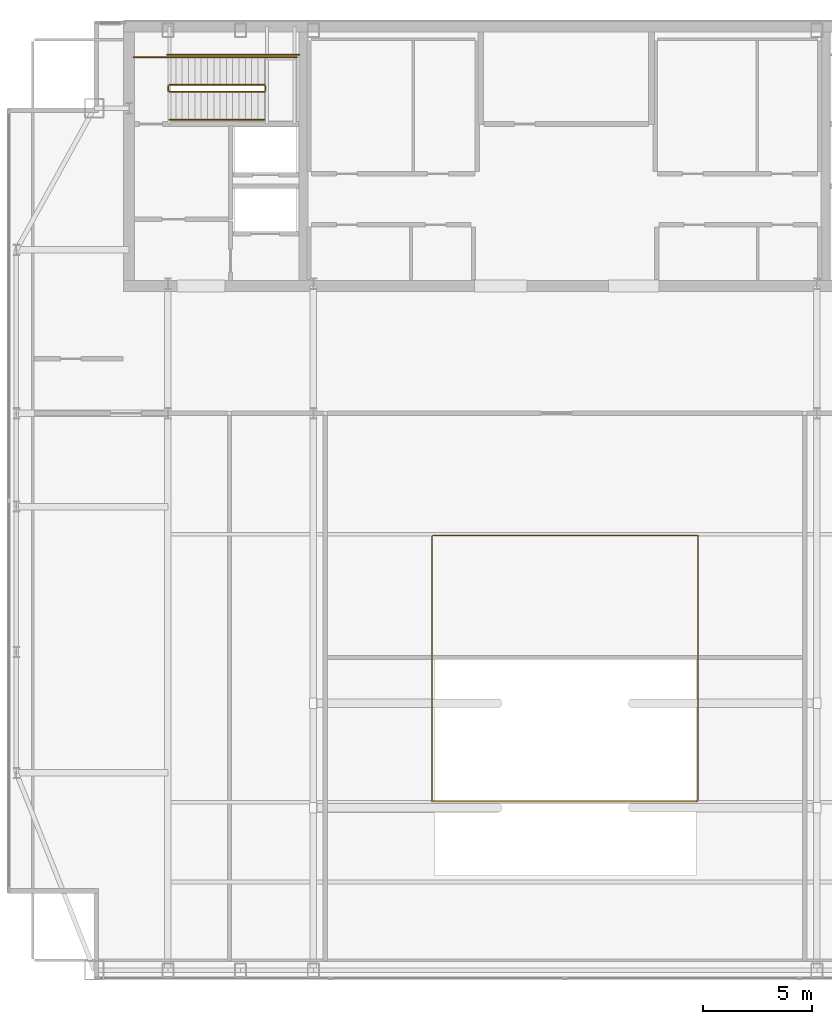
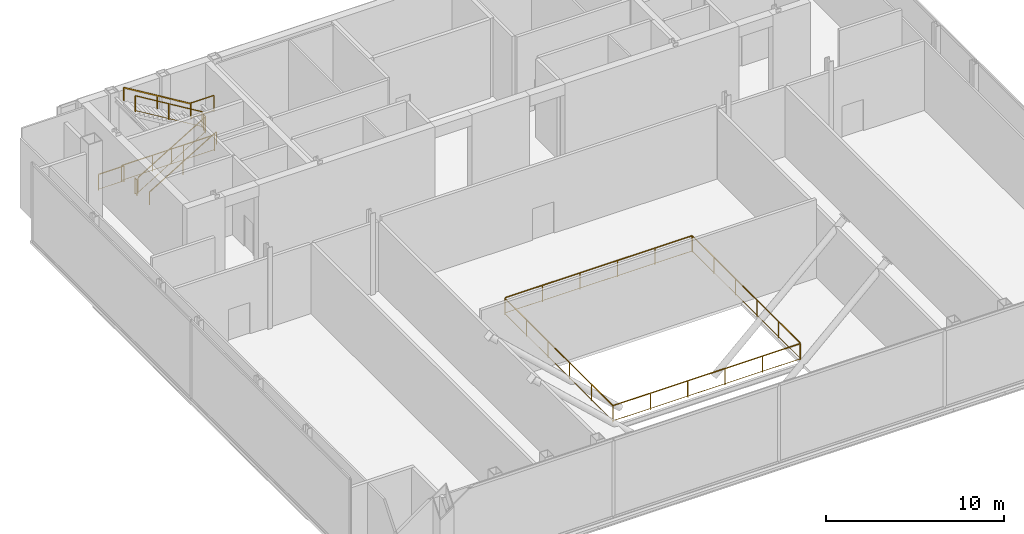
# One storey, part 22 of 23: 11 railings.
"""IFC4 building model written with IfcOpenShell, lengths in metres."""

from ifc_helpers import new_model, si_unit, direction, frame, origin, origin_2d, place, context, subcontext, project, spatial, rectangle, extrude, material, type_object, element, save


model = new_model("IFC4")

# Units and contexts
model_context = context("Model", 3, precision=1e-05, world=origin(), true_north=direction((0.0, 1.0)))
body_context = subcontext(model_context, "Body", "Model", "MODEL_VIEW")
ifc_project = project(units=[si_unit("LENGTHUNIT", "METRE"), si_unit("AREAUNIT", "SQUARE_METRE"), si_unit("VOLUMEUNIT", "CUBIC_METRE"), si_unit("PLANEANGLEUNIT", "RADIAN"), si_unit("MASSUNIT", "GRAM", prefix="KILO")], contexts=[model_context])

# Site, building, storey
site_placement = place(None, origin())
site = spatial("IfcSite", under=ifc_project, at=site_placement, CompositionType="ELEMENT")
building_placement = place(site_placement, origin())
building = spatial("IfcBuilding", under=site, at=building_placement, Name="Khoronbel Lancet Exchange", CompositionType="ELEMENT")
storey_placement = place(building_placement, frame((0.0, 0.0, 356.199951171875)))
storey = spatial("IfcBuildingStorey", under=building, at=storey_placement, Name="L92", CompositionType="ELEMENT", Elevation=356.199951171875)

# Railings
ifc_material_1 = material(Name="Laminated Glass & Bronze Balustrade", Category="glass")
railing_type_1 = type_object("IfcRailingType", Name="RL-INT115", PredefinedType="BALUSTRADE", material=ifc_material_1)
railing_1_placement = place(storey_placement, frame((30.35009765625, 30.06005859375, 0.0)))
element("IfcRailing", 1, at=railing_1_placement, inside=storey, type_object=railing_type_1, Name="Level L92 gallery void safety balustrade SW", PredefinedType="BALUSTRADE", context=body_context, shape_type="SweptSolid", body=[
    extrude(rectangle(XDim=0.052001953125, YDim=0.052001953125, at=origin_2d()), frame((0.0, 0.0, 1.1240234375), z_axis=(0.0, -1.0, 0.0), x_axis=(1.0, 0.0, 0.0)), (0.0, 0.0, 1.0), 12.16015625),
    extrude(rectangle(XDim=0.02587890625, YDim=0.02587890625, at=origin_2d()), frame((0.0, 0.0, 0.080078125), z_axis=(0.0, -1.0, 0.0), x_axis=(1.0, 0.0, 0.0)), (0.0, 0.0, 1.0), 12.16015625),
    extrude(rectangle(XDim=0.052001953125, YDim=0.052001953125, at=origin_2d()), frame((0.0, -12.16015625, 1.1240234375), z_axis=(1.0, 0.0, 0.0), x_axis=(0.0, 1.0, 0.0)), (0.0, 0.0, 1.0), 12.159912109375),
    extrude(rectangle(XDim=0.02587890625, YDim=0.02587890625, at=origin_2d()), frame((0.0, -12.16015625, 0.080078125), z_axis=(1.0, 0.0, 0.0), x_axis=(0.0, 1.0, 0.0)), (0.0, 0.0, 1.0), 12.159912109375),
    extrude(rectangle(XDim=0.0419921875, YDim=0.0419921875, at=origin_2d()), origin(), (0.0, 0.0, 1.0), 1.097900390625),
    extrude(rectangle(XDim=0.0419921875, YDim=0.0419921875, at=origin_2d()), frame((0.0, -2.43212890625, 0.0)), (0.0, 0.0, 1.0), 1.097900390625),
    extrude(rectangle(XDim=0.0419921875, YDim=0.0419921875, at=origin_2d()), frame((0.0, -4.864013671875, 0.0)), (0.0, 0.0, 1.0), 1.097900390625),
    extrude(rectangle(XDim=0.0419921875, YDim=0.0419921875, at=origin_2d()), frame((0.0, -7.296142578125, 0.0)), (0.0, 0.0, 1.0), 1.097900390625),
    extrude(rectangle(XDim=0.0419921875, YDim=0.0419921875, at=origin_2d()), frame((0.0, -9.72802734375, 0.0)), (0.0, 0.0, 1.0), 1.097900390625),
    extrude(rectangle(XDim=0.0419921875, YDim=0.0419921875, at=origin_2d()), frame((0.0, -12.16015625, 0.0)), (0.0, 0.0, 1.0), 1.097900390625),
    extrude(rectangle(XDim=0.0419921875, YDim=0.0419921875, at=origin_2d()), frame((2.431884765625, -12.16015625, 0.0)), (0.0, 0.0, 1.0), 1.097900390625),
    extrude(rectangle(XDim=0.0419921875, YDim=0.0419921875, at=origin_2d()), frame((4.864013671875, -12.16015625, 0.0)), (0.0, 0.0, 1.0), 1.097900390625),
    extrude(rectangle(XDim=0.0419921875, YDim=0.0419921875, at=origin_2d()), frame((7.2958984375, -12.16015625, 0.0)), (0.0, 0.0, 1.0), 1.097900390625),
    extrude(rectangle(XDim=0.0419921875, YDim=0.0419921875, at=origin_2d()), frame((9.72802734375, -12.16015625, 0.0)), (0.0, 0.0, 1.0), 1.097900390625),
    extrude(rectangle(XDim=0.0419921875, YDim=0.0419921875, at=origin_2d()), frame((12.159912109375, -12.16015625, 0.0)), (0.0, 0.0, 1.0), 1.097900390625),
])
railing_2_placement = place(storey_placement, frame((30.389892578125, 30.10009765625, 0.0)))
element("IfcRailing", 2, at=railing_2_placement, inside=storey, type_object=railing_type_1, Name="Level L92 gallery void safety balustrade NE", PredefinedType="BALUSTRADE", context=body_context, shape_type="SweptSolid", body=[
    extrude(rectangle(XDim=0.052001953125, YDim=0.052001953125, at=origin_2d()), frame((0.0, 0.0, 1.1240234375), z_axis=(1.0, 0.0, 0.0), x_axis=(0.0, 1.0, 0.0)), (0.0, 0.0, 1.0), 12.16015625),
    extrude(rectangle(XDim=0.02587890625, YDim=0.02587890625, at=origin_2d()), frame((0.0, 0.0, 0.080078125), z_axis=(1.0, 0.0, 0.0), x_axis=(0.0, 1.0, 0.0)), (0.0, 0.0, 1.0), 12.16015625),
    extrude(rectangle(XDim=0.052001953125, YDim=0.052001953125, at=origin_2d()), frame((12.16015625, 0.0, 1.1240234375), z_axis=(0.0, -1.0, 0.0), x_axis=(1.0, 0.0, 0.0)), (0.0, 0.0, 1.0), 12.16015625),
    extrude(rectangle(XDim=0.02587890625, YDim=0.02587890625, at=origin_2d()), frame((12.16015625, 0.0, 0.080078125), z_axis=(0.0, -1.0, 0.0), x_axis=(1.0, 0.0, 0.0)), (0.0, 0.0, 1.0), 12.16015625),
    extrude(rectangle(XDim=0.0419921875, YDim=0.0419921875, at=origin_2d()), origin(), (0.0, 0.0, 1.0), 1.097900390625),
    extrude(rectangle(XDim=0.0419921875, YDim=0.0419921875, at=origin_2d()), frame((2.43212890625, 0.0, 0.0)), (0.0, 0.0, 1.0), 1.097900390625),
    extrude(rectangle(XDim=0.0419921875, YDim=0.0419921875, at=origin_2d()), frame((4.864013671875, 0.0, 0.0)), (0.0, 0.0, 1.0), 1.097900390625),
    extrude(rectangle(XDim=0.0419921875, YDim=0.0419921875, at=origin_2d()), frame((7.296142578125, 0.0, 0.0)), (0.0, 0.0, 1.0), 1.097900390625),
    extrude(rectangle(XDim=0.0419921875, YDim=0.0419921875, at=origin_2d()), frame((9.72802734375, 0.0, 0.0)), (0.0, 0.0, 1.0), 1.097900390625),
    extrude(rectangle(XDim=0.0419921875, YDim=0.0419921875, at=origin_2d()), frame((12.16015625, 0.0, 0.0)), (0.0, 0.0, 1.0), 1.097900390625),
    extrude(rectangle(XDim=0.0419921875, YDim=0.0419921875, at=origin_2d()), frame((12.16015625, -2.43212890625, 0.0)), (0.0, 0.0, 1.0), 1.097900390625),
    extrude(rectangle(XDim=0.0419921875, YDim=0.0419921875, at=origin_2d()), frame((12.16015625, -4.864013671875, 0.0)), (0.0, 0.0, 1.0), 1.097900390625),
    extrude(rectangle(XDim=0.0419921875, YDim=0.0419921875, at=origin_2d()), frame((12.16015625, -7.296142578125, 0.0)), (0.0, 0.0, 1.0), 1.097900390625),
    extrude(rectangle(XDim=0.0419921875, YDim=0.0419921875, at=origin_2d()), frame((12.16015625, -9.72802734375, 0.0)), (0.0, 0.0, 1.0), 1.097900390625),
    extrude(rectangle(XDim=0.0419921875, YDim=0.0419921875, at=origin_2d()), frame((12.16015625, -12.16015625, 0.0)), (0.0, 0.0, 1.0), 1.097900390625),
])
ifc_material_2 = material(Name="Painted Steel Balustrade", Category="steel")
railing_type_2 = type_object("IfcRailingType", Name="RL-STG110", PredefinedType="GUARDRAIL", material=ifc_material_2)
railing_3_placement = place(storey_placement, frame((18.300048828125, 50.449951171875, 0.175048828125)))
element("IfcRailing", 3, at=railing_3_placement, inside=storey, type_object=railing_type_2, Name="L92 ST1 stair guard 1", PredefinedType="GUARDRAIL", context=body_context, shape_type="SweptSolid", body=[
    extrude(rectangle(XDim=0.048095703125, YDim=0.048095703125, at=origin_2d()), frame((0.0, 0.0, 1.09619140625), z_axis=(0.856179964356, 0.0, 0.516677722218), x_axis=(0.0, 1.0, 0.0)), (0.0, 0.0, 1.0), 5.08056640625),
    extrude(rectangle(XDim=0.02392578125, YDim=0.02392578125, at=origin_2d()), frame((0.0, 0.0, 0.080078125), z_axis=(0.856179964356, 0.0, 0.516677722218), x_axis=(0.0, 1.0, 0.0)), (0.0, 0.0, 1.0), 5.08056640625),
    extrude(rectangle(XDim=0.0419921875, YDim=0.0419921875, at=origin_2d()), origin(), (0.0, 0.0, 1.0), 1.072021484375),
    extrude(rectangle(XDim=0.0419921875, YDim=0.0419921875, at=origin_2d()), frame((2.1748046875, 0.0, 1.3125)), (0.0, 0.0, 1.0), 1.072021484375),
    extrude(rectangle(XDim=0.0419921875, YDim=0.0419921875, at=origin_2d()), frame((4.349853515625, 0.0, 2.625)), (0.0, 0.0, 1.0), 1.072021484375),
])
railing_4_placement = place(storey_placement, frame((22.699951171875, 50.5, 2.800048828125)))
element("IfcRailing", 4, at=railing_4_placement, inside=storey, type_object=railing_type_2, Name="L92 ST1 stair guard 2", PredefinedType="GUARDRAIL", context=body_context, shape_type="SweptSolid", body=[
    extrude(rectangle(XDim=0.048095703125, YDim=0.048095703125, at=origin_2d()), frame((0.0, 0.0, 1.09619140625), z_axis=(0.0, 1.0, 0.0), x_axis=(-1.0, 0.0, 0.0)), (0.0, 0.0, 1.0), 0.219970703125),
    extrude(rectangle(XDim=0.02392578125, YDim=0.02392578125, at=origin_2d()), frame((0.0, 0.0, 0.080078125), z_axis=(0.0, 1.0, 0.0), x_axis=(-1.0, 0.0, 0.0)), (0.0, 0.0, 1.0), 0.219970703125),
    extrude(rectangle(XDim=0.0419921875, YDim=0.0419921875, at=origin_2d()), origin(), (0.0, 0.0, 1.0), 1.072021484375),
    extrude(rectangle(XDim=0.0419921875, YDim=0.0419921875, at=origin_2d()), frame((0.0, 0.219970703125, 0.0)), (0.0, 0.0, 1.0), 1.072021484375),
])
railing_5_placement = place(storey_placement, frame((22.64990234375, 52.050048828125, 2.800048828125)))
element("IfcRailing", 5, at=railing_5_placement, inside=storey, type_object=railing_type_2, Name="L92 ST1 stair guard 3", PredefinedType="GUARDRAIL", context=body_context, shape_type="SweptSolid", body=[
    extrude(rectangle(XDim=0.048095703125, YDim=0.048095703125, at=origin_2d()), frame((0.0, 0.0, 1.09619140625), z_axis=(1.0, 0.0, 0.0), x_axis=(0.0, 1.0, 0.0)), (0.0, 0.0, 1.0), 1.5),
    extrude(rectangle(XDim=0.02392578125, YDim=0.02392578125, at=origin_2d()), frame((0.0, 0.0, 0.080078125), z_axis=(1.0, 0.0, 0.0), x_axis=(0.0, 1.0, 0.0)), (0.0, 0.0, 1.0), 1.5),
    extrude(rectangle(XDim=0.0419921875, YDim=0.0419921875, at=origin_2d()), origin(), (0.0, 0.0, 1.0), 1.072021484375),
    extrude(rectangle(XDim=0.0419921875, YDim=0.0419921875, at=origin_2d()), frame((1.5, 0.0, 0.0)), (0.0, 0.0, 1.0), 1.072021484375),
])
railing_6_placement = place(storey_placement, frame((22.64990234375, 50.77001953125, 2.97509765625)))
element("IfcRailing", 6, at=railing_6_placement, inside=storey, type_object=railing_type_2, Name="L92 ST1 stair guard 4", PredefinedType="GUARDRAIL", context=body_context, shape_type="SweptSolid", body=[
    extrude(rectangle(XDim=0.048095703125, YDim=0.048095703125, at=origin_2d()), frame((0.0, 0.0, 1.09619140625), z_axis=(-0.856179964356, 0.0, 0.516677722218), x_axis=(0.0, -1.0, 0.0)), (0.0, 0.0, 1.0), 5.08056640625),
    extrude(rectangle(XDim=0.02392578125, YDim=0.02392578125, at=origin_2d()), frame((0.0, 0.0, 0.080078125), z_axis=(-0.856179964356, 0.0, 0.516677722218), x_axis=(0.0, -1.0, 0.0)), (0.0, 0.0, 1.0), 5.08056640625),
    extrude(rectangle(XDim=0.0419921875, YDim=0.0419921875, at=origin_2d()), origin(), (0.0, 0.0, 1.0), 1.072021484375),
    extrude(rectangle(XDim=0.0419921875, YDim=0.0419921875, at=origin_2d()), frame((-2.1748046875, 0.0, 1.3125)), (0.0, 0.0, 1.0), 1.072021484375),
    extrude(rectangle(XDim=0.0419921875, YDim=0.0419921875, at=origin_2d()), frame((-4.349853515625, 0.0, 2.625)), (0.0, 0.0, 1.0), 1.072021484375),
])
railing_7_placement = place(storey_placement, frame((18.25, 50.5, 0.0)))
element("IfcRailing", 7, at=railing_7_placement, inside=storey, type_object=railing_type_2, Name="L92 ST1 stair guard 5", PredefinedType="GUARDRAIL", context=body_context, shape_type="SweptSolid", body=[
    extrude(rectangle(XDim=0.048095703125, YDim=0.048095703125, at=origin_2d()), frame((0.0, 0.0, 1.09619140625), z_axis=(0.0, 1.0, 0.0), x_axis=(-1.0, 0.0, 0.0)), (0.0, 0.0, 1.0), 0.219970703125),
    extrude(rectangle(XDim=0.02392578125, YDim=0.02392578125, at=origin_2d()), frame((0.0, 0.0, 0.080078125), z_axis=(0.0, 1.0, 0.0), x_axis=(-1.0, 0.0, 0.0)), (0.0, 0.0, 1.0), 0.219970703125),
    extrude(rectangle(XDim=0.0419921875, YDim=0.0419921875, at=origin_2d()), origin(), (0.0, 0.0, 1.0), 1.072021484375),
    extrude(rectangle(XDim=0.0419921875, YDim=0.0419921875, at=origin_2d()), frame((0.0, 0.219970703125, 0.0)), (0.0, 0.0, 1.0), 1.072021484375),
])
railing_8_placement = place(storey_placement, frame((16.64990234375, 52.050048828125, 0.0)))
element("IfcRailing", 8, at=railing_8_placement, inside=storey, type_object=railing_type_2, Name="L92 ST1 stair guard 6", PredefinedType="GUARDRAIL", context=body_context, shape_type="SweptSolid", body=[
    extrude(rectangle(XDim=0.048095703125, YDim=0.048095703125, at=origin_2d()), frame((0.0, 0.0, 1.09619140625), z_axis=(1.0, 0.0, 0.0), x_axis=(0.0, 1.0, 0.0)), (0.0, 0.0, 1.0), 1.650146484375),
    extrude(rectangle(XDim=0.02392578125, YDim=0.02392578125, at=origin_2d()), frame((0.0, 0.0, 0.080078125), z_axis=(1.0, 0.0, 0.0), x_axis=(0.0, 1.0, 0.0)), (0.0, 0.0, 1.0), 1.650146484375),
    extrude(rectangle(XDim=0.0419921875, YDim=0.0419921875, at=origin_2d()), origin(), (0.0, 0.0, 1.0), 1.072021484375),
    extrude(rectangle(XDim=0.0419921875, YDim=0.0419921875, at=origin_2d()), frame((1.650146484375, 0.0, 0.0)), (0.0, 0.0, 1.0), 1.072021484375),
])
railing_9_placement = place(storey_placement, frame((18.199951171875, 52.14990234375, 0.0)))
element("IfcRailing", 9, at=railing_9_placement, inside=storey, type_object=railing_type_2, Name="L92 ST1 stair guard 7", PredefinedType="GUARDRAIL", context=body_context, shape_type="SweptSolid", body=[
    extrude(rectangle(XDim=0.048095703125, YDim=0.048095703125, at=origin_2d()), frame((0.0, 0.0, 1.09619140625), z_axis=(1.0, 0.0, 0.0), x_axis=(0.0, 1.0, 0.0)), (0.0, 0.0, 1.0), 6.050048828125),
    extrude(rectangle(XDim=0.02392578125, YDim=0.02392578125, at=origin_2d()), frame((0.0, 0.0, 0.080078125), z_axis=(1.0, 0.0, 0.0), x_axis=(0.0, 1.0, 0.0)), (0.0, 0.0, 1.0), 6.050048828125),
    extrude(rectangle(XDim=0.0419921875, YDim=0.0419921875, at=origin_2d()), origin(), (0.0, 0.0, 1.0), 1.072021484375),
    extrude(rectangle(XDim=0.0419921875, YDim=0.0419921875, at=origin_2d()), frame((2.0166015625, 0.0, 0.0)), (0.0, 0.0, 1.0), 1.072021484375),
    extrude(rectangle(XDim=0.0419921875, YDim=0.0419921875, at=origin_2d()), frame((4.033447265625, 0.0, 0.0)), (0.0, 0.0, 1.0), 1.072021484375),
    extrude(rectangle(XDim=0.0419921875, YDim=0.0419921875, at=origin_2d()), frame((6.050048828125, 0.0, 0.0)), (0.0, 0.0, 1.0), 1.072021484375),
])
ifc_material_3 = material(Name="Brushed Stainless Steel 316", Category="steel")
railing_type_3 = type_object("IfcRailingType", Name="RL-STH92", PredefinedType="HANDRAIL", material=ifc_material_3)
railing_10_placement = place(storey_placement, frame((18.300048828125, 49.169921875, 0.175048828125)))
element("IfcRailing", 10, at=railing_10_placement, inside=storey, type_object=railing_type_3, Name="L92 ST1 stair handrail 1", PredefinedType="HANDRAIL", context=body_context, shape_type="SweptSolid", body=[
    extrude(rectangle(XDim=0.048095703125, YDim=0.048095703125, at=origin_2d()), frame((0.0, 0.0, 0.8759765625), z_axis=(0.856179964356, 0.0, 0.516677722218), x_axis=(0.0, 1.0, 0.0)), (0.0, 0.0, 1.0), 5.08056640625),
    extrude(rectangle(XDim=0.0419921875, YDim=0.0419921875, at=origin_2d()), origin(), (0.0, 0.0, 1.0), 0.851806640625),
    extrude(rectangle(XDim=0.0419921875, YDim=0.0419921875, at=origin_2d()), frame((2.1748046875, 0.0, 1.3125)), (0.0, 0.0, 1.0), 0.851806640625),
    extrude(rectangle(XDim=0.0419921875, YDim=0.0419921875, at=origin_2d()), frame((4.349853515625, 0.0, 2.625)), (0.0, 0.0, 1.0), 0.851806640625),
])
railing_11_placement = place(storey_placement, frame((22.64990234375, 52.050048828125, 2.97509765625)))
element("IfcRailing", 11, at=railing_11_placement, inside=storey, type_object=railing_type_3, Name="L92 ST1 stair handrail 2", PredefinedType="HANDRAIL", context=body_context, shape_type="SweptSolid", body=[
    extrude(rectangle(XDim=0.048095703125, YDim=0.048095703125, at=origin_2d()), frame((0.0, 0.0, 0.8759765625), z_axis=(-0.856179964356, 0.0, 0.516677722218), x_axis=(0.0, -1.0, 0.0)), (0.0, 0.0, 1.0), 5.08056640625),
    extrude(rectangle(XDim=0.0419921875, YDim=0.0419921875, at=origin_2d()), origin(), (0.0, 0.0, 1.0), 0.851806640625),
    extrude(rectangle(XDim=0.0419921875, YDim=0.0419921875, at=origin_2d()), frame((-2.1748046875, 0.0, 1.3125)), (0.0, 0.0, 1.0), 0.851806640625),
    extrude(rectangle(XDim=0.0419921875, YDim=0.0419921875, at=origin_2d()), frame((-4.349853515625, 0.0, 2.625)), (0.0, 0.0, 1.0), 0.851806640625),
])

save(model, "model.ifc")
